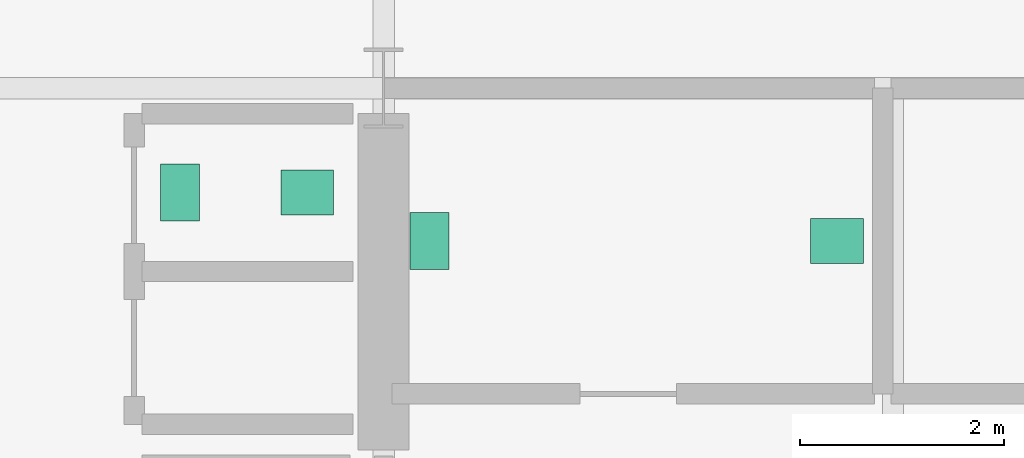
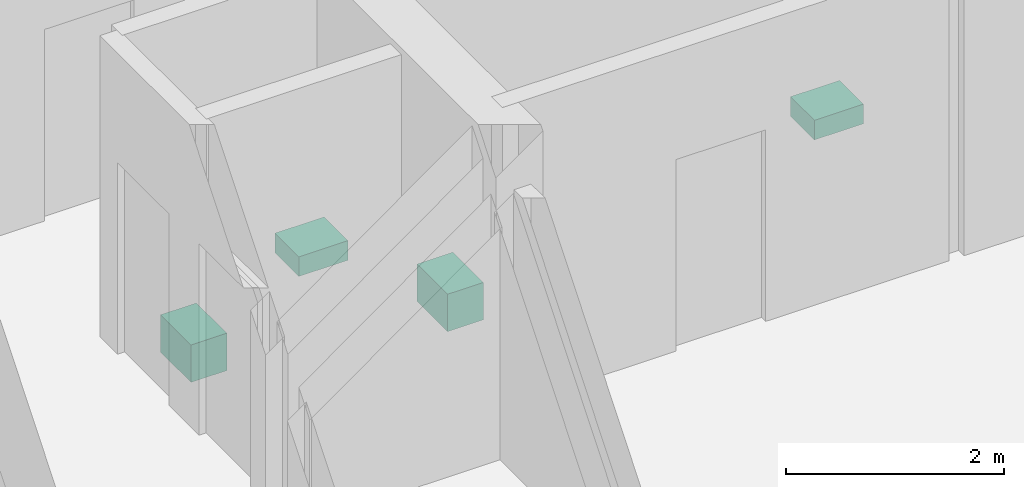
# One storey, part 22 of 22: 4 sanitary terminals.
"""IFC4 building model written with IfcOpenShell, lengths in metres."""

from ifc_helpers import new_model, si_unit, direction, frame, origin, origin_2d, place, context, subcontext, project, spatial, rectangle, extrude, material, type_object, element, save


model = new_model("IFC4")

# Units and contexts
model_context = context("Model", 3, precision=1e-05, world=origin(), true_north=direction((0.0, 1.0)))
body_context = subcontext(model_context, "Body", "Model", "MODEL_VIEW")
ifc_project = project(units=[si_unit("LENGTHUNIT", "METRE"), si_unit("AREAUNIT", "SQUARE_METRE"), si_unit("VOLUMEUNIT", "CUBIC_METRE"), si_unit("PLANEANGLEUNIT", "RADIAN"), si_unit("MASSUNIT", "GRAM", prefix="KILO")], contexts=[model_context])

# Site, building, storey
site_placement = place(None, origin())
site = spatial("IfcSite", under=ifc_project, at=site_placement, CompositionType="ELEMENT")
building_placement = place(site_placement, origin())
building = spatial("IfcBuilding", under=site, at=building_placement, Name="Barlavira Tower and Art Museum", CompositionType="ELEMENT")
storey_placement = place(building_placement, frame((0.0, 0.0, 269.10009765625)))
storey = spatial("IfcBuildingStorey", under=building, at=storey_placement, Name="L70", CompositionType="ELEMENT", Elevation=269.10009765625)

# Sanitary terminals
ifc_material = material(Name="Vitreous glazed ceramic", Category="ceramic")
sanitary_terminal_type_1 = type_object("IfcSanitaryTerminalType", Name="Countertop Ceramic Wash Hand Basin", PredefinedType="WASHHANDBASIN", material=ifc_material)
for number, where, z_axis, x_axis, name in (
    (1, (5.75, 6.47509765625, 0.73974609375), (0.0, 0.0, 1.0), (1.0, 0.0, 0.0), "L70-C-WC1 Wash Basin"),
    (2, (10.949951171875, 6.0, 0.73974609375), (0.0, 0.0, 1.0), (1.0, 0.0, 0.0), "L70-E-AWC Wash Basin"),
):
    element("IfcSanitaryTerminal", number, at=place(storey_placement, frame(where, z_axis=z_axis, x_axis=x_axis)), inside=storey, type_object=sanitary_terminal_type_1, Name=name, PredefinedType="WASHHANDBASIN", context=body_context, shape_type="SweptSolid", body=[
        extrude(rectangle(XDim=0.52001953125, YDim=0.43994140625, at=origin_2d()), origin(), (0.0, 0.0, 1.0), 0.219970703125),
    ])
sanitary_terminal_type_2 = type_object("IfcSanitaryTerminalType", Name="Wall-Hung Dual-Flush Vitreous WC Pan", PredefinedType="TOILETPAN", material=ifc_material)
for number, where, z_axis, x_axis, name in (
    (3, (4.5, 6.47509765625, 0.0), (0.0, 0.0, 1.0), (1.0, 0.0, 0.0), "L70-C-WC1 WC Pan"),
    (4, (6.949951171875, 6.0, 0.0), (0.0, 0.0, 1.0), (1.0, 0.0, 0.0), "L70-E-AWC WC Pan"),
):
    element("IfcSanitaryTerminal", number, at=place(storey_placement, frame(where, z_axis=z_axis, x_axis=x_axis)), inside=storey, type_object=sanitary_terminal_type_2, Name=name, PredefinedType="TOILETPAN", context=body_context, shape_type="SweptSolid", body=[
        extrude(rectangle(XDim=0.3798828125, YDim=0.56005859375, at=origin_2d()), origin(), (0.0, 0.0, 1.0), 0.419921875),
    ])

save(model, "model.ifc")
